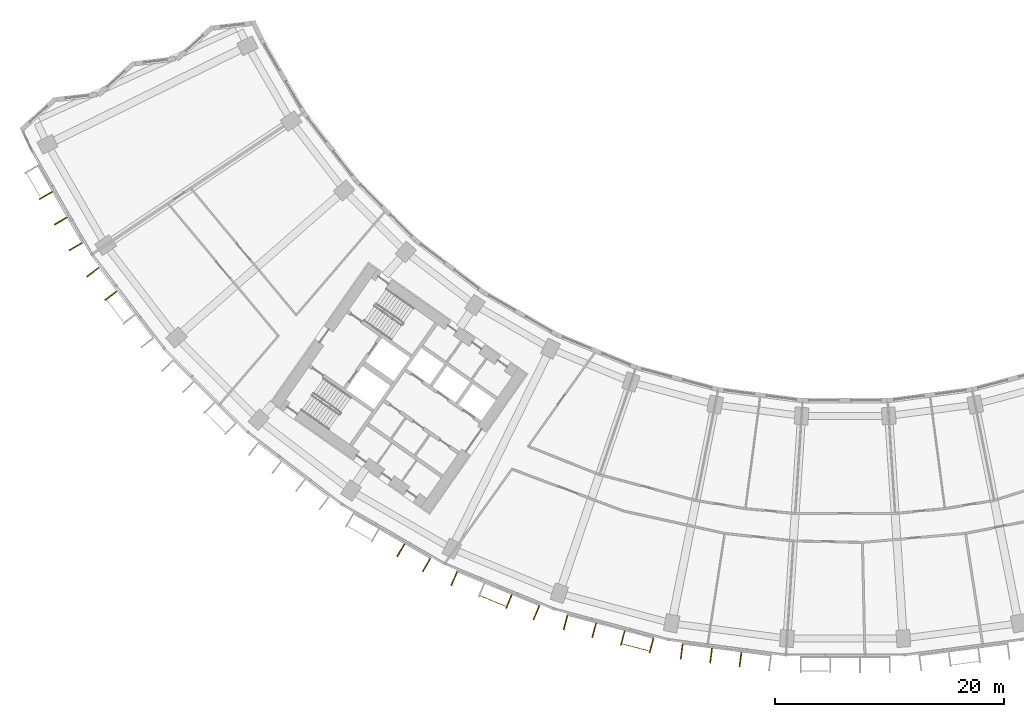
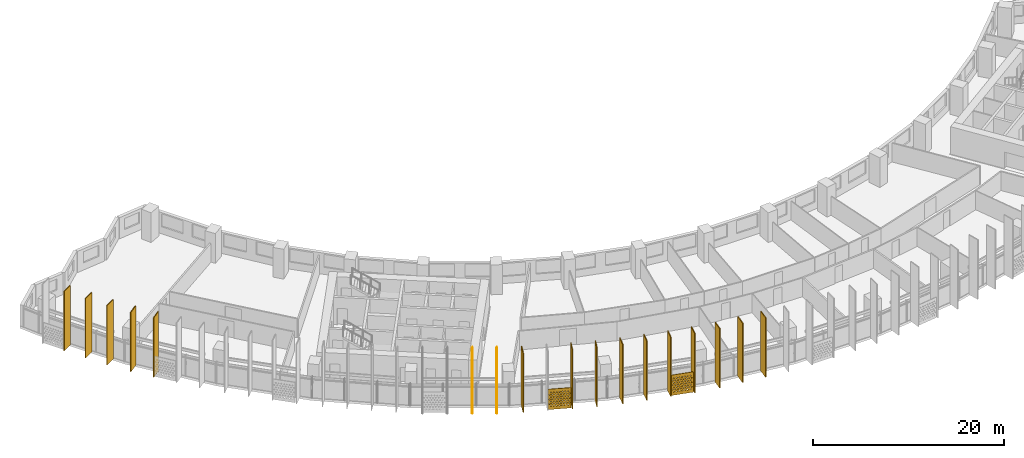
# One storey, part 25 of 30: 19 shading devices.
"""IFC4 building model written with IfcOpenShell, lengths in metres."""

from ifc_helpers import new_model, si_unit, direction, frame, origin, origin_2d, place, context, subcontext, project, spatial, polyline, rectangle, outline, extrude, material, material_profile, profile_set, type_object, element, save


model = new_model("IFC4")

# Units and contexts
model_context = context("Model", 3, precision=1e-05, world=origin(), true_north=direction((0.0, 1.0)))
body_context = subcontext(model_context, "Body", "Model", "MODEL_VIEW")
ifc_project = project(units=[si_unit("LENGTHUNIT", "METRE"), si_unit("AREAUNIT", "SQUARE_METRE"), si_unit("VOLUMEUNIT", "CUBIC_METRE"), si_unit("PLANEANGLEUNIT", "RADIAN"), si_unit("MASSUNIT", "GRAM", prefix="KILO")], contexts=[model_context])

# Site, building, storey
site_placement = place(None, origin())
site = spatial("IfcSite", under=ifc_project, at=site_placement, CompositionType="ELEMENT")
building_placement = place(site_placement, origin())
building = spatial("IfcBuilding", under=site, at=building_placement, Name="Qamariyya Broadcast Tower", CompositionType="ELEMENT")
storey_placement = place(building_placement, frame((0.0, 0.0, 110.10009765625)))
storey = spatial("IfcBuildingStorey", under=building, at=storey_placement, Name="L24", CompositionType="ELEMENT", Elevation=110.10009765625)

# Shading devices
ifc_material_1 = material(Name="Perforated glazed terracotta", Category="masonry")
ifc_material_profile_1 = material_profile(ifc_material_1, outline(polyline([(-1.199951171875, -1.300048828125), (1.199951171875, -1.300048828125), (1.199951171875, 1.300048828125), (-1.199951171875, 1.300048828125), (-1.199951171875, -1.300048828125)]), holes=[polyline([(-0.81494140625, -0.86669921875), (-0.89990234375, -0.78173828125), (-0.985107421875, -0.86669921875), (-0.89990234375, -0.95166015625), (-0.81494140625, -0.86669921875)]), polyline([(-0.514892578125, -0.86669921875), (-0.60009765625, -0.78173828125), (-0.68505859375, -0.86669921875), (-0.60009765625, -0.95166015625), (-0.514892578125, -0.86669921875)]), polyline([(-0.215087890625, -0.86669921875), (-0.300048828125, -0.78173828125), (-0.385009765625, -0.86669921875), (-0.300048828125, -0.95166015625), (-0.215087890625, -0.86669921875)]), polyline([(0.0849609375, -0.86669921875), (0.0, -0.78173828125), (-0.0849609375, -0.86669921875), (0.0, -0.95166015625), (0.0849609375, -0.86669921875)]), polyline([(0.385009765625, -0.86669921875), (0.300048828125, -0.78173828125), (0.215087890625, -0.86669921875), (0.300048828125, -0.95166015625), (0.385009765625, -0.86669921875)]), polyline([(0.68505859375, -0.86669921875), (0.60009765625, -0.78173828125), (0.514892578125, -0.86669921875), (0.60009765625, -0.95166015625), (0.68505859375, -0.86669921875)]), polyline([(0.985107421875, -0.86669921875), (0.89990234375, -0.78173828125), (0.81494140625, -0.86669921875), (0.89990234375, -0.95166015625), (0.985107421875, -0.86669921875)]), polyline([(-0.965087890625, -0.577880859375), (-1.050048828125, -0.49267578125), (-1.135009765625, -0.577880859375), (-1.050048828125, -0.662841796875), (-0.965087890625, -0.577880859375)]), polyline([(-0.6650390625, -0.577880859375), (-0.75, -0.49267578125), (-0.8349609375, -0.577880859375), (-0.75, -0.662841796875), (-0.6650390625, -0.577880859375)]), polyline([(-0.364990234375, -0.577880859375), (-0.449951171875, -0.49267578125), (-0.534912109375, -0.577880859375), (-0.449951171875, -0.662841796875), (-0.364990234375, -0.577880859375)]), polyline([(-0.06494140625, -0.577880859375), (-0.14990234375, -0.49267578125), (-0.235107421875, -0.577880859375), (-0.14990234375, -0.662841796875), (-0.06494140625, -0.577880859375)]), polyline([(0.235107421875, -0.577880859375), (0.14990234375, -0.49267578125), (0.06494140625, -0.577880859375), (0.14990234375, -0.662841796875), (0.235107421875, -0.577880859375)]), polyline([(0.534912109375, -0.577880859375), (0.449951171875, -0.49267578125), (0.364990234375, -0.577880859375), (0.449951171875, -0.662841796875), (0.534912109375, -0.577880859375)]), polyline([(0.8349609375, -0.577880859375), (0.75, -0.49267578125), (0.6650390625, -0.577880859375), (0.75, -0.662841796875), (0.8349609375, -0.577880859375)]), polyline([(1.135009765625, -0.577880859375), (1.050048828125, -0.49267578125), (0.965087890625, -0.577880859375), (1.050048828125, -0.662841796875), (1.135009765625, -0.577880859375)]), polyline([(-0.81494140625, -0.288818359375), (-0.89990234375, -0.203857421875), (-0.985107421875, -0.288818359375), (-0.89990234375, -0.373779296875), (-0.81494140625, -0.288818359375)]), polyline([(-0.514892578125, -0.288818359375), (-0.60009765625, -0.203857421875), (-0.68505859375, -0.288818359375), (-0.60009765625, -0.373779296875), (-0.514892578125, -0.288818359375)]), polyline([(-0.215087890625, -0.288818359375), (-0.300048828125, -0.203857421875), (-0.385009765625, -0.288818359375), (-0.300048828125, -0.373779296875), (-0.215087890625, -0.288818359375)]), polyline([(0.0849609375, -0.288818359375), (0.0, -0.203857421875), (-0.0849609375, -0.288818359375), (0.0, -0.373779296875), (0.0849609375, -0.288818359375)]), polyline([(0.385009765625, -0.288818359375), (0.300048828125, -0.203857421875), (0.215087890625, -0.288818359375), (0.300048828125, -0.373779296875), (0.385009765625, -0.288818359375)]), polyline([(0.68505859375, -0.288818359375), (0.60009765625, -0.203857421875), (0.514892578125, -0.288818359375), (0.60009765625, -0.373779296875), (0.68505859375, -0.288818359375)]), polyline([(0.985107421875, -0.288818359375), (0.89990234375, -0.203857421875), (0.81494140625, -0.288818359375), (0.89990234375, -0.373779296875), (0.985107421875, -0.288818359375)]), polyline([(-0.965087890625, 0.0), (-1.050048828125, 0.0849609375), (-1.135009765625, 0.0), (-1.050048828125, -0.0849609375), (-0.965087890625, 0.0)]), polyline([(-0.6650390625, 0.0), (-0.75, 0.0849609375), (-0.8349609375, 0.0), (-0.75, -0.0849609375), (-0.6650390625, 0.0)]), polyline([(-0.364990234375, 0.0), (-0.449951171875, 0.0849609375), (-0.534912109375, 0.0), (-0.449951171875, -0.0849609375), (-0.364990234375, 0.0)]), polyline([(-0.06494140625, 0.0), (-0.14990234375, 0.0849609375), (-0.235107421875, 0.0), (-0.14990234375, -0.0849609375), (-0.06494140625, 0.0)]), polyline([(0.235107421875, 0.0), (0.14990234375, 0.0849609375), (0.06494140625, 0.0), (0.14990234375, -0.0849609375), (0.235107421875, 0.0)]), polyline([(0.534912109375, 0.0), (0.449951171875, 0.0849609375), (0.364990234375, 0.0), (0.449951171875, -0.0849609375), (0.534912109375, 0.0)]), polyline([(0.8349609375, 0.0), (0.75, 0.0849609375), (0.6650390625, 0.0), (0.75, -0.0849609375), (0.8349609375, 0.0)]), polyline([(1.135009765625, 0.0), (1.050048828125, 0.0849609375), (0.965087890625, 0.0), (1.050048828125, -0.0849609375), (1.135009765625, 0.0)]), polyline([(-0.81494140625, 0.288818359375), (-0.89990234375, 0.373779296875), (-0.985107421875, 0.288818359375), (-0.89990234375, 0.203857421875), (-0.81494140625, 0.288818359375)]), polyline([(-0.514892578125, 0.288818359375), (-0.60009765625, 0.373779296875), (-0.68505859375, 0.288818359375), (-0.60009765625, 0.203857421875), (-0.514892578125, 0.288818359375)]), polyline([(-0.215087890625, 0.288818359375), (-0.300048828125, 0.373779296875), (-0.385009765625, 0.288818359375), (-0.300048828125, 0.203857421875), (-0.215087890625, 0.288818359375)]), polyline([(0.0849609375, 0.288818359375), (0.0, 0.373779296875), (-0.0849609375, 0.288818359375), (0.0, 0.203857421875), (0.0849609375, 0.288818359375)]), polyline([(0.385009765625, 0.288818359375), (0.300048828125, 0.373779296875), (0.215087890625, 0.288818359375), (0.300048828125, 0.203857421875), (0.385009765625, 0.288818359375)]), polyline([(0.68505859375, 0.288818359375), (0.60009765625, 0.373779296875), (0.514892578125, 0.288818359375), (0.60009765625, 0.203857421875), (0.68505859375, 0.288818359375)]), polyline([(0.985107421875, 0.288818359375), (0.89990234375, 0.373779296875), (0.81494140625, 0.288818359375), (0.89990234375, 0.203857421875), (0.985107421875, 0.288818359375)]), polyline([(-0.965087890625, 0.577880859375), (-1.050048828125, 0.662841796875), (-1.135009765625, 0.577880859375), (-1.050048828125, 0.49267578125), (-0.965087890625, 0.577880859375)]), polyline([(-0.6650390625, 0.577880859375), (-0.75, 0.662841796875), (-0.8349609375, 0.577880859375), (-0.75, 0.49267578125), (-0.6650390625, 0.577880859375)]), polyline([(-0.364990234375, 0.577880859375), (-0.449951171875, 0.662841796875), (-0.534912109375, 0.577880859375), (-0.449951171875, 0.49267578125), (-0.364990234375, 0.577880859375)]), polyline([(-0.06494140625, 0.577880859375), (-0.14990234375, 0.662841796875), (-0.235107421875, 0.577880859375), (-0.14990234375, 0.49267578125), (-0.06494140625, 0.577880859375)]), polyline([(0.235107421875, 0.577880859375), (0.14990234375, 0.662841796875), (0.06494140625, 0.577880859375), (0.14990234375, 0.49267578125), (0.235107421875, 0.577880859375)]), polyline([(0.534912109375, 0.577880859375), (0.449951171875, 0.662841796875), (0.364990234375, 0.577880859375), (0.449951171875, 0.49267578125), (0.534912109375, 0.577880859375)]), polyline([(0.8349609375, 0.577880859375), (0.75, 0.662841796875), (0.6650390625, 0.577880859375), (0.75, 0.49267578125), (0.8349609375, 0.577880859375)]), polyline([(1.135009765625, 0.577880859375), (1.050048828125, 0.662841796875), (0.965087890625, 0.577880859375), (1.050048828125, 0.49267578125), (1.135009765625, 0.577880859375)]), polyline([(-0.81494140625, 0.86669921875), (-0.89990234375, 0.95166015625), (-0.985107421875, 0.86669921875), (-0.89990234375, 0.78173828125), (-0.81494140625, 0.86669921875)]), polyline([(-0.514892578125, 0.86669921875), (-0.60009765625, 0.95166015625), (-0.68505859375, 0.86669921875), (-0.60009765625, 0.78173828125), (-0.514892578125, 0.86669921875)]), polyline([(-0.215087890625, 0.86669921875), (-0.300048828125, 0.95166015625), (-0.385009765625, 0.86669921875), (-0.300048828125, 0.78173828125), (-0.215087890625, 0.86669921875)]), polyline([(0.0849609375, 0.86669921875), (0.0, 0.95166015625), (-0.0849609375, 0.86669921875), (0.0, 0.78173828125), (0.0849609375, 0.86669921875)]), polyline([(0.385009765625, 0.86669921875), (0.300048828125, 0.95166015625), (0.215087890625, 0.86669921875), (0.300048828125, 0.78173828125), (0.385009765625, 0.86669921875)]), polyline([(0.68505859375, 0.86669921875), (0.60009765625, 0.95166015625), (0.514892578125, 0.86669921875), (0.60009765625, 0.78173828125), (0.68505859375, 0.86669921875)]), polyline([(0.985107421875, 0.86669921875), (0.89990234375, 0.95166015625), (0.81494140625, 0.86669921875), (0.89990234375, 0.78173828125), (0.985107421875, 0.86669921875)])]))
ifc_profile_set_1 = profile_set([ifc_material_profile_1], Name="Perforated glazed terracotta")
shading_device_type_1 = type_object("IfcShadingDeviceType", Name="Perforated terracotta screen 2400 x 2600", PredefinedType="USERDEFINED", material=ifc_profile_set_1)
shading_device_1_placement = place(storey_placement, frame((-30.810791015625, -74.26220703125, 1.349853515625), z_axis=(-0.382591441855, -0.923917630863, 0.0), x_axis=(0.923917630863, -0.382591441855, 0.0)))
element("IfcShadingDevice", 1, at=shading_device_1_placement, inside=storey, type_object=shading_device_type_1, Name="e-scr-L24-06-1", ObjectType="SCREEN", PredefinedType="USERDEFINED", context=body_context, shape_type="SweptSolid", body=[
    extrude(outline(polyline([(-1.199951171875, -1.300048828125), (1.199951171875, -1.300048828125), (1.199951171875, 1.300048828125), (-1.199951171875, 1.300048828125), (-1.199951171875, -1.300048828125)]), holes=[polyline([(-0.81494140625, -0.86669921875), (-0.89990234375, -0.78173828125), (-0.985107421875, -0.86669921875), (-0.89990234375, -0.95166015625), (-0.81494140625, -0.86669921875)]), polyline([(-0.514892578125, -0.86669921875), (-0.60009765625, -0.78173828125), (-0.68505859375, -0.86669921875), (-0.60009765625, -0.95166015625), (-0.514892578125, -0.86669921875)]), polyline([(-0.215087890625, -0.86669921875), (-0.300048828125, -0.78173828125), (-0.385009765625, -0.86669921875), (-0.300048828125, -0.95166015625), (-0.215087890625, -0.86669921875)]), polyline([(0.0849609375, -0.86669921875), (0.0, -0.78173828125), (-0.0849609375, -0.86669921875), (0.0, -0.95166015625), (0.0849609375, -0.86669921875)]), polyline([(0.385009765625, -0.86669921875), (0.300048828125, -0.78173828125), (0.215087890625, -0.86669921875), (0.300048828125, -0.95166015625), (0.385009765625, -0.86669921875)]), polyline([(0.68505859375, -0.86669921875), (0.60009765625, -0.78173828125), (0.514892578125, -0.86669921875), (0.60009765625, -0.95166015625), (0.68505859375, -0.86669921875)]), polyline([(0.985107421875, -0.86669921875), (0.89990234375, -0.78173828125), (0.81494140625, -0.86669921875), (0.89990234375, -0.95166015625), (0.985107421875, -0.86669921875)]), polyline([(-0.965087890625, -0.577880859375), (-1.050048828125, -0.49267578125), (-1.135009765625, -0.577880859375), (-1.050048828125, -0.662841796875), (-0.965087890625, -0.577880859375)]), polyline([(-0.6650390625, -0.577880859375), (-0.75, -0.49267578125), (-0.8349609375, -0.577880859375), (-0.75, -0.662841796875), (-0.6650390625, -0.577880859375)]), polyline([(-0.364990234375, -0.577880859375), (-0.449951171875, -0.49267578125), (-0.534912109375, -0.577880859375), (-0.449951171875, -0.662841796875), (-0.364990234375, -0.577880859375)]), polyline([(-0.06494140625, -0.577880859375), (-0.14990234375, -0.49267578125), (-0.235107421875, -0.577880859375), (-0.14990234375, -0.662841796875), (-0.06494140625, -0.577880859375)]), polyline([(0.235107421875, -0.577880859375), (0.14990234375, -0.49267578125), (0.06494140625, -0.577880859375), (0.14990234375, -0.662841796875), (0.235107421875, -0.577880859375)]), polyline([(0.534912109375, -0.577880859375), (0.449951171875, -0.49267578125), (0.364990234375, -0.577880859375), (0.449951171875, -0.662841796875), (0.534912109375, -0.577880859375)]), polyline([(0.8349609375, -0.577880859375), (0.75, -0.49267578125), (0.6650390625, -0.577880859375), (0.75, -0.662841796875), (0.8349609375, -0.577880859375)]), polyline([(1.135009765625, -0.577880859375), (1.050048828125, -0.49267578125), (0.965087890625, -0.577880859375), (1.050048828125, -0.662841796875), (1.135009765625, -0.577880859375)]), polyline([(-0.81494140625, -0.288818359375), (-0.89990234375, -0.203857421875), (-0.985107421875, -0.288818359375), (-0.89990234375, -0.373779296875), (-0.81494140625, -0.288818359375)]), polyline([(-0.514892578125, -0.288818359375), (-0.60009765625, -0.203857421875), (-0.68505859375, -0.288818359375), (-0.60009765625, -0.373779296875), (-0.514892578125, -0.288818359375)]), polyline([(-0.215087890625, -0.288818359375), (-0.300048828125, -0.203857421875), (-0.385009765625, -0.288818359375), (-0.300048828125, -0.373779296875), (-0.215087890625, -0.288818359375)]), polyline([(0.0849609375, -0.288818359375), (0.0, -0.203857421875), (-0.0849609375, -0.288818359375), (0.0, -0.373779296875), (0.0849609375, -0.288818359375)]), polyline([(0.385009765625, -0.288818359375), (0.300048828125, -0.203857421875), (0.215087890625, -0.288818359375), (0.300048828125, -0.373779296875), (0.385009765625, -0.288818359375)]), polyline([(0.68505859375, -0.288818359375), (0.60009765625, -0.203857421875), (0.514892578125, -0.288818359375), (0.60009765625, -0.373779296875), (0.68505859375, -0.288818359375)]), polyline([(0.985107421875, -0.288818359375), (0.89990234375, -0.203857421875), (0.81494140625, -0.288818359375), (0.89990234375, -0.373779296875), (0.985107421875, -0.288818359375)]), polyline([(-0.965087890625, 0.0), (-1.050048828125, 0.0849609375), (-1.135009765625, 0.0), (-1.050048828125, -0.0849609375), (-0.965087890625, 0.0)]), polyline([(-0.6650390625, 0.0), (-0.75, 0.0849609375), (-0.8349609375, 0.0), (-0.75, -0.0849609375), (-0.6650390625, 0.0)]), polyline([(-0.364990234375, 0.0), (-0.449951171875, 0.0849609375), (-0.534912109375, 0.0), (-0.449951171875, -0.0849609375), (-0.364990234375, 0.0)]), polyline([(-0.06494140625, 0.0), (-0.14990234375, 0.0849609375), (-0.235107421875, 0.0), (-0.14990234375, -0.0849609375), (-0.06494140625, 0.0)]), polyline([(0.235107421875, 0.0), (0.14990234375, 0.0849609375), (0.06494140625, 0.0), (0.14990234375, -0.0849609375), (0.235107421875, 0.0)]), polyline([(0.534912109375, 0.0), (0.449951171875, 0.0849609375), (0.364990234375, 0.0), (0.449951171875, -0.0849609375), (0.534912109375, 0.0)]), polyline([(0.8349609375, 0.0), (0.75, 0.0849609375), (0.6650390625, 0.0), (0.75, -0.0849609375), (0.8349609375, 0.0)]), polyline([(1.135009765625, 0.0), (1.050048828125, 0.0849609375), (0.965087890625, 0.0), (1.050048828125, -0.0849609375), (1.135009765625, 0.0)]), polyline([(-0.81494140625, 0.288818359375), (-0.89990234375, 0.373779296875), (-0.985107421875, 0.288818359375), (-0.89990234375, 0.203857421875), (-0.81494140625, 0.288818359375)]), polyline([(-0.514892578125, 0.288818359375), (-0.60009765625, 0.373779296875), (-0.68505859375, 0.288818359375), (-0.60009765625, 0.203857421875), (-0.514892578125, 0.288818359375)]), polyline([(-0.215087890625, 0.288818359375), (-0.300048828125, 0.373779296875), (-0.385009765625, 0.288818359375), (-0.300048828125, 0.203857421875), (-0.215087890625, 0.288818359375)]), polyline([(0.0849609375, 0.288818359375), (0.0, 0.373779296875), (-0.0849609375, 0.288818359375), (0.0, 0.203857421875), (0.0849609375, 0.288818359375)]), polyline([(0.385009765625, 0.288818359375), (0.300048828125, 0.373779296875), (0.215087890625, 0.288818359375), (0.300048828125, 0.203857421875), (0.385009765625, 0.288818359375)]), polyline([(0.68505859375, 0.288818359375), (0.60009765625, 0.373779296875), (0.514892578125, 0.288818359375), (0.60009765625, 0.203857421875), (0.68505859375, 0.288818359375)]), polyline([(0.985107421875, 0.288818359375), (0.89990234375, 0.373779296875), (0.81494140625, 0.288818359375), (0.89990234375, 0.203857421875), (0.985107421875, 0.288818359375)]), polyline([(-0.965087890625, 0.577880859375), (-1.050048828125, 0.662841796875), (-1.135009765625, 0.577880859375), (-1.050048828125, 0.49267578125), (-0.965087890625, 0.577880859375)]), polyline([(-0.6650390625, 0.577880859375), (-0.75, 0.662841796875), (-0.8349609375, 0.577880859375), (-0.75, 0.49267578125), (-0.6650390625, 0.577880859375)]), polyline([(-0.364990234375, 0.577880859375), (-0.449951171875, 0.662841796875), (-0.534912109375, 0.577880859375), (-0.449951171875, 0.49267578125), (-0.364990234375, 0.577880859375)]), polyline([(-0.06494140625, 0.577880859375), (-0.14990234375, 0.662841796875), (-0.235107421875, 0.577880859375), (-0.14990234375, 0.49267578125), (-0.06494140625, 0.577880859375)]), polyline([(0.235107421875, 0.577880859375), (0.14990234375, 0.662841796875), (0.06494140625, 0.577880859375), (0.14990234375, 0.49267578125), (0.235107421875, 0.577880859375)]), polyline([(0.534912109375, 0.577880859375), (0.449951171875, 0.662841796875), (0.364990234375, 0.577880859375), (0.449951171875, 0.49267578125), (0.534912109375, 0.577880859375)]), polyline([(0.8349609375, 0.577880859375), (0.75, 0.662841796875), (0.6650390625, 0.577880859375), (0.75, 0.49267578125), (0.8349609375, 0.577880859375)]), polyline([(1.135009765625, 0.577880859375), (1.050048828125, 0.662841796875), (0.965087890625, 0.577880859375), (1.050048828125, 0.49267578125), (1.135009765625, 0.577880859375)]), polyline([(-0.81494140625, 0.86669921875), (-0.89990234375, 0.95166015625), (-0.985107421875, 0.86669921875), (-0.89990234375, 0.78173828125), (-0.81494140625, 0.86669921875)]), polyline([(-0.514892578125, 0.86669921875), (-0.60009765625, 0.95166015625), (-0.68505859375, 0.86669921875), (-0.60009765625, 0.78173828125), (-0.514892578125, 0.86669921875)]), polyline([(-0.215087890625, 0.86669921875), (-0.300048828125, 0.95166015625), (-0.385009765625, 0.86669921875), (-0.300048828125, 0.78173828125), (-0.215087890625, 0.86669921875)]), polyline([(0.0849609375, 0.86669921875), (0.0, 0.95166015625), (-0.0849609375, 0.86669921875), (0.0, 0.78173828125), (0.0849609375, 0.86669921875)]), polyline([(0.385009765625, 0.86669921875), (0.300048828125, 0.95166015625), (0.215087890625, 0.86669921875), (0.300048828125, 0.78173828125), (0.385009765625, 0.86669921875)]), polyline([(0.68505859375, 0.86669921875), (0.60009765625, 0.95166015625), (0.514892578125, 0.86669921875), (0.60009765625, 0.78173828125), (0.68505859375, 0.86669921875)]), polyline([(0.985107421875, 0.86669921875), (0.89990234375, 0.95166015625), (0.81494140625, 0.86669921875), (0.89990234375, 0.78173828125), (0.985107421875, 0.86669921875)])]), origin(), (0.0, 0.0, 1.0), 0.06005859375),
])
shading_device_2_placement = place(storey_placement, frame((-18.349365234375, -78.31982421875, 1.349853515625), z_axis=(-0.256901156343, -0.966437683387, 0.0), x_axis=(0.966437683387, -0.256901156343, 0.0)))
element("IfcShadingDevice", 2, at=shading_device_2_placement, inside=storey, type_object=shading_device_type_1, Name="e-scr-L24-07-2", ObjectType="SCREEN", PredefinedType="USERDEFINED", context=body_context, shape_type="SweptSolid", body=[
    extrude(outline(polyline([(-1.199951171875, -1.300048828125), (1.199951171875, -1.300048828125), (1.199951171875, 1.300048828125), (-1.199951171875, 1.300048828125), (-1.199951171875, -1.300048828125)]), holes=[polyline([(-0.81494140625, -0.86669921875), (-0.89990234375, -0.78173828125), (-0.985107421875, -0.86669921875), (-0.89990234375, -0.95166015625), (-0.81494140625, -0.86669921875)]), polyline([(-0.514892578125, -0.86669921875), (-0.60009765625, -0.78173828125), (-0.68505859375, -0.86669921875), (-0.60009765625, -0.95166015625), (-0.514892578125, -0.86669921875)]), polyline([(-0.215087890625, -0.86669921875), (-0.300048828125, -0.78173828125), (-0.385009765625, -0.86669921875), (-0.300048828125, -0.95166015625), (-0.215087890625, -0.86669921875)]), polyline([(0.0849609375, -0.86669921875), (0.0, -0.78173828125), (-0.0849609375, -0.86669921875), (0.0, -0.95166015625), (0.0849609375, -0.86669921875)]), polyline([(0.385009765625, -0.86669921875), (0.300048828125, -0.78173828125), (0.215087890625, -0.86669921875), (0.300048828125, -0.95166015625), (0.385009765625, -0.86669921875)]), polyline([(0.68505859375, -0.86669921875), (0.60009765625, -0.78173828125), (0.514892578125, -0.86669921875), (0.60009765625, -0.95166015625), (0.68505859375, -0.86669921875)]), polyline([(0.985107421875, -0.86669921875), (0.89990234375, -0.78173828125), (0.81494140625, -0.86669921875), (0.89990234375, -0.95166015625), (0.985107421875, -0.86669921875)]), polyline([(-0.965087890625, -0.577880859375), (-1.050048828125, -0.49267578125), (-1.135009765625, -0.577880859375), (-1.050048828125, -0.662841796875), (-0.965087890625, -0.577880859375)]), polyline([(-0.6650390625, -0.577880859375), (-0.75, -0.49267578125), (-0.8349609375, -0.577880859375), (-0.75, -0.662841796875), (-0.6650390625, -0.577880859375)]), polyline([(-0.364990234375, -0.577880859375), (-0.449951171875, -0.49267578125), (-0.534912109375, -0.577880859375), (-0.449951171875, -0.662841796875), (-0.364990234375, -0.577880859375)]), polyline([(-0.06494140625, -0.577880859375), (-0.14990234375, -0.49267578125), (-0.235107421875, -0.577880859375), (-0.14990234375, -0.662841796875), (-0.06494140625, -0.577880859375)]), polyline([(0.235107421875, -0.577880859375), (0.14990234375, -0.49267578125), (0.06494140625, -0.577880859375), (0.14990234375, -0.662841796875), (0.235107421875, -0.577880859375)]), polyline([(0.534912109375, -0.577880859375), (0.449951171875, -0.49267578125), (0.364990234375, -0.577880859375), (0.449951171875, -0.662841796875), (0.534912109375, -0.577880859375)]), polyline([(0.8349609375, -0.577880859375), (0.75, -0.49267578125), (0.6650390625, -0.577880859375), (0.75, -0.662841796875), (0.8349609375, -0.577880859375)]), polyline([(1.135009765625, -0.577880859375), (1.050048828125, -0.49267578125), (0.965087890625, -0.577880859375), (1.050048828125, -0.662841796875), (1.135009765625, -0.577880859375)]), polyline([(-0.81494140625, -0.288818359375), (-0.89990234375, -0.203857421875), (-0.985107421875, -0.288818359375), (-0.89990234375, -0.373779296875), (-0.81494140625, -0.288818359375)]), polyline([(-0.514892578125, -0.288818359375), (-0.60009765625, -0.203857421875), (-0.68505859375, -0.288818359375), (-0.60009765625, -0.373779296875), (-0.514892578125, -0.288818359375)]), polyline([(-0.215087890625, -0.288818359375), (-0.300048828125, -0.203857421875), (-0.385009765625, -0.288818359375), (-0.300048828125, -0.373779296875), (-0.215087890625, -0.288818359375)]), polyline([(0.0849609375, -0.288818359375), (0.0, -0.203857421875), (-0.0849609375, -0.288818359375), (0.0, -0.373779296875), (0.0849609375, -0.288818359375)]), polyline([(0.385009765625, -0.288818359375), (0.300048828125, -0.203857421875), (0.215087890625, -0.288818359375), (0.300048828125, -0.373779296875), (0.385009765625, -0.288818359375)]), polyline([(0.68505859375, -0.288818359375), (0.60009765625, -0.203857421875), (0.514892578125, -0.288818359375), (0.60009765625, -0.373779296875), (0.68505859375, -0.288818359375)]), polyline([(0.985107421875, -0.288818359375), (0.89990234375, -0.203857421875), (0.81494140625, -0.288818359375), (0.89990234375, -0.373779296875), (0.985107421875, -0.288818359375)]), polyline([(-0.965087890625, 0.0), (-1.050048828125, 0.0849609375), (-1.135009765625, 0.0), (-1.050048828125, -0.0849609375), (-0.965087890625, 0.0)]), polyline([(-0.6650390625, 0.0), (-0.75, 0.0849609375), (-0.8349609375, 0.0), (-0.75, -0.0849609375), (-0.6650390625, 0.0)]), polyline([(-0.364990234375, 0.0), (-0.449951171875, 0.0849609375), (-0.534912109375, 0.0), (-0.449951171875, -0.0849609375), (-0.364990234375, 0.0)]), polyline([(-0.06494140625, 0.0), (-0.14990234375, 0.0849609375), (-0.235107421875, 0.0), (-0.14990234375, -0.0849609375), (-0.06494140625, 0.0)]), polyline([(0.235107421875, 0.0), (0.14990234375, 0.0849609375), (0.06494140625, 0.0), (0.14990234375, -0.0849609375), (0.235107421875, 0.0)]), polyline([(0.534912109375, 0.0), (0.449951171875, 0.0849609375), (0.364990234375, 0.0), (0.449951171875, -0.0849609375), (0.534912109375, 0.0)]), polyline([(0.8349609375, 0.0), (0.75, 0.0849609375), (0.6650390625, 0.0), (0.75, -0.0849609375), (0.8349609375, 0.0)]), polyline([(1.135009765625, 0.0), (1.050048828125, 0.0849609375), (0.965087890625, 0.0), (1.050048828125, -0.0849609375), (1.135009765625, 0.0)]), polyline([(-0.81494140625, 0.288818359375), (-0.89990234375, 0.373779296875), (-0.985107421875, 0.288818359375), (-0.89990234375, 0.203857421875), (-0.81494140625, 0.288818359375)]), polyline([(-0.514892578125, 0.288818359375), (-0.60009765625, 0.373779296875), (-0.68505859375, 0.288818359375), (-0.60009765625, 0.203857421875), (-0.514892578125, 0.288818359375)]), polyline([(-0.215087890625, 0.288818359375), (-0.300048828125, 0.373779296875), (-0.385009765625, 0.288818359375), (-0.300048828125, 0.203857421875), (-0.215087890625, 0.288818359375)]), polyline([(0.0849609375, 0.288818359375), (0.0, 0.373779296875), (-0.0849609375, 0.288818359375), (0.0, 0.203857421875), (0.0849609375, 0.288818359375)]), polyline([(0.385009765625, 0.288818359375), (0.300048828125, 0.373779296875), (0.215087890625, 0.288818359375), (0.300048828125, 0.203857421875), (0.385009765625, 0.288818359375)]), polyline([(0.68505859375, 0.288818359375), (0.60009765625, 0.373779296875), (0.514892578125, 0.288818359375), (0.60009765625, 0.203857421875), (0.68505859375, 0.288818359375)]), polyline([(0.985107421875, 0.288818359375), (0.89990234375, 0.373779296875), (0.81494140625, 0.288818359375), (0.89990234375, 0.203857421875), (0.985107421875, 0.288818359375)]), polyline([(-0.965087890625, 0.577880859375), (-1.050048828125, 0.662841796875), (-1.135009765625, 0.577880859375), (-1.050048828125, 0.49267578125), (-0.965087890625, 0.577880859375)]), polyline([(-0.6650390625, 0.577880859375), (-0.75, 0.662841796875), (-0.8349609375, 0.577880859375), (-0.75, 0.49267578125), (-0.6650390625, 0.577880859375)]), polyline([(-0.364990234375, 0.577880859375), (-0.449951171875, 0.662841796875), (-0.534912109375, 0.577880859375), (-0.449951171875, 0.49267578125), (-0.364990234375, 0.577880859375)]), polyline([(-0.06494140625, 0.577880859375), (-0.14990234375, 0.662841796875), (-0.235107421875, 0.577880859375), (-0.14990234375, 0.49267578125), (-0.06494140625, 0.577880859375)]), polyline([(0.235107421875, 0.577880859375), (0.14990234375, 0.662841796875), (0.06494140625, 0.577880859375), (0.14990234375, 0.49267578125), (0.235107421875, 0.577880859375)]), polyline([(0.534912109375, 0.577880859375), (0.449951171875, 0.662841796875), (0.364990234375, 0.577880859375), (0.449951171875, 0.49267578125), (0.534912109375, 0.577880859375)]), polyline([(0.8349609375, 0.577880859375), (0.75, 0.662841796875), (0.6650390625, 0.577880859375), (0.75, 0.49267578125), (0.8349609375, 0.577880859375)]), polyline([(1.135009765625, 0.577880859375), (1.050048828125, 0.662841796875), (0.965087890625, 0.577880859375), (1.050048828125, 0.49267578125), (1.135009765625, 0.577880859375)]), polyline([(-0.81494140625, 0.86669921875), (-0.89990234375, 0.95166015625), (-0.985107421875, 0.86669921875), (-0.89990234375, 0.78173828125), (-0.81494140625, 0.86669921875)]), polyline([(-0.514892578125, 0.86669921875), (-0.60009765625, 0.95166015625), (-0.68505859375, 0.86669921875), (-0.60009765625, 0.78173828125), (-0.514892578125, 0.86669921875)]), polyline([(-0.215087890625, 0.86669921875), (-0.300048828125, 0.95166015625), (-0.385009765625, 0.86669921875), (-0.300048828125, 0.78173828125), (-0.215087890625, 0.86669921875)]), polyline([(0.0849609375, 0.86669921875), (0.0, 0.95166015625), (-0.0849609375, 0.86669921875), (0.0, 0.78173828125), (0.0849609375, 0.86669921875)]), polyline([(0.385009765625, 0.86669921875), (0.300048828125, 0.95166015625), (0.215087890625, 0.86669921875), (0.300048828125, 0.78173828125), (0.385009765625, 0.86669921875)]), polyline([(0.68505859375, 0.86669921875), (0.60009765625, 0.95166015625), (0.514892578125, 0.86669921875), (0.60009765625, 0.78173828125), (0.68505859375, 0.86669921875)]), polyline([(0.985107421875, 0.86669921875), (0.89990234375, 0.95166015625), (0.81494140625, 0.86669921875), (0.89990234375, 0.78173828125), (0.985107421875, 0.86669921875)])]), origin(), (0.0, 0.0, 1.0), 0.059814453125),
])
ifc_material_2 = material(Name="Glazed terracotta", Category="masonry")
ifc_material_profile_2 = material_profile(ifc_material_2, rectangle(XDim=1.300048828125, YDim=0.10009765625, at=origin_2d()))
ifc_profile_set_2 = profile_set([ifc_material_profile_2], Name="Glazed terracotta")
shading_device_type_2 = type_object("IfcShadingDeviceType", Name="Terracotta fin 100 x 1300", PredefinedType="USERDEFINED", material=ifc_profile_set_2)
for number, where, z_axis, x_axis, name in (
    (3, (-69.869873046875, -38.84228515625, 0.0), (0.0, 0.0, 1.0), (-0.866025403784, -0.5, 0.0), "e-fin-L24-01-1"),
    (4, (-68.5732421875, -41.087890625, 0.0), (0.0, 0.0, 1.0), (-0.866025403784, -0.5, 0.0), "e-fin-L24-01-2"),
    (5, (-67.276611328125, -43.333740234375, 0.0), (0.0, 0.0, 1.0), (-0.866025403784, -0.5, 0.0), "e-fin-L24-01-3"),
    (6, (-65.781005859375, -45.572509765625, 0.0), (0.0, 0.0, 1.0), (-0.793353340291, -0.608761429009, 0.0), "e-fin-L24-02-0"),
    (7, (-64.2021484375, -47.629638671875, 0.0), (0.0, 0.0, 1.0), (-0.793353340291, -0.608761429009, 0.0), "e-fin-L24-02-1"),
    (8, (-38.84228515625, -69.869873046875, 0.0), (0.0, 0.0, 1.0), (-0.5, -0.866025403784, 0.0), "e-fin-L24-05-2"),
    (9, (-36.596435546875, -71.16650390625, 0.0), (0.0, 0.0, 1.0), (-0.5, -0.866025403784, 0.0), "e-fin-L24-05-3"),
    (10, (-34.181640625, -72.357421875, 0.0), (0.0, 0.0, 1.0), (-0.382683432365, -0.923879532511, 0.0), "e-fin-L24-06-0"),
    (11, (-29.39013671875, -74.342041015625, 0.0), (0.0, 0.0, 1.0), (-0.382683432365, -0.923879532511, 0.0), "e-fin-L24-06-2"),
    (12, (-26.994140625, -75.33447265625, 0.0), (0.0, 0.0, 1.0), (-0.382683432365, -0.923879532511, 0.0), "e-fin-L24-06-3"),
    (13, (-24.44482421875, -76.199951171875, 0.0), (0.0, 0.0, 1.0), (-0.258819045103, -0.965925826289, 0.0), "e-fin-L24-07-0"),
    (14, (-21.93994140625, -76.87109375, 0.0), (0.0, 0.0, 1.0), (-0.258819045103, -0.965925826289, 0.0), "e-fin-L24-07-1"),
    (15, (-19.43505859375, -77.542236328125, 0.0), (0.0, 0.0, 1.0), (-0.258819045103, -0.965925826289, 0.0), "e-fin-L24-07-2"),
    (16, (-16.93017578125, -78.21337890625, 0.0), (0.0, 0.0, 1.0), (-0.258819045103, -0.965925826289, 0.0), "e-fin-L24-07-3"),
    (17, (-14.28955078125, -78.73876953125, 0.0), (0.0, 0.0, 1.0), (-0.13052619222, -0.991444861374, 0.0), "e-fin-L24-08-0"),
    (18, (-11.718505859375, -79.0771484375, 0.0), (0.0, 0.0, 1.0), (-0.13052619222, -0.991444861374, 0.0), "e-fin-L24-08-1"),
    (19, (-9.1474609375, -79.41552734375, 0.0), (0.0, 0.0, 1.0), (-0.13052619222, -0.991444861374, 0.0), "e-fin-L24-08-2"),
):
    element("IfcShadingDevice", number, at=place(storey_placement, frame(where, z_axis=z_axis, x_axis=x_axis)), inside=storey, type_object=shading_device_type_2, Name=name, ObjectType="FIN", PredefinedType="USERDEFINED", context=body_context, shape_type="SweptSolid", body=[
        extrude(rectangle(XDim=1.300048828125, YDim=0.10009765625, at=origin_2d()), origin(), (0.0, 0.0, 1.0), 7.599853515625),
    ])

save(model, "model.ifc")
